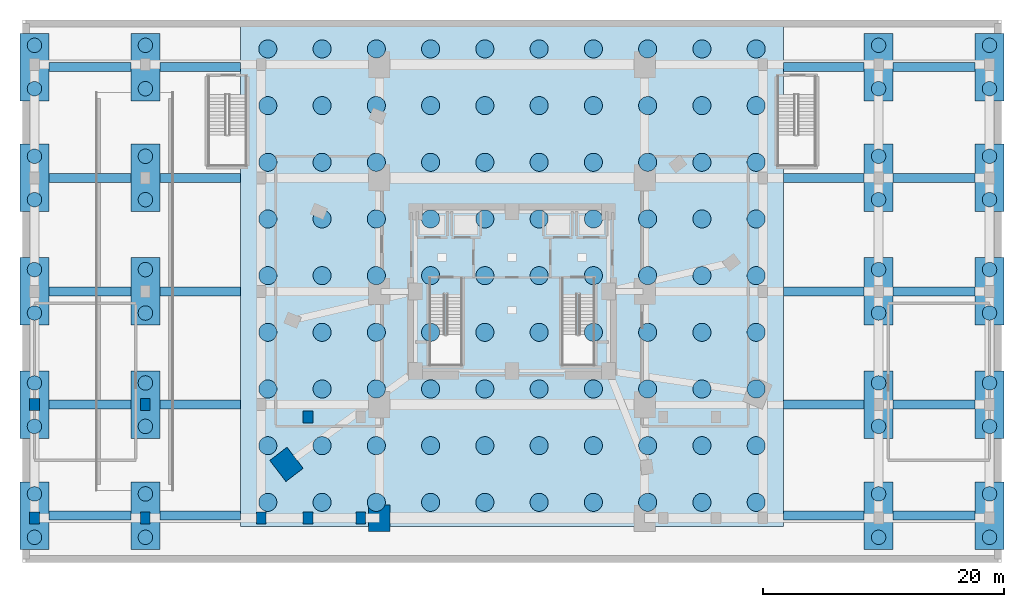
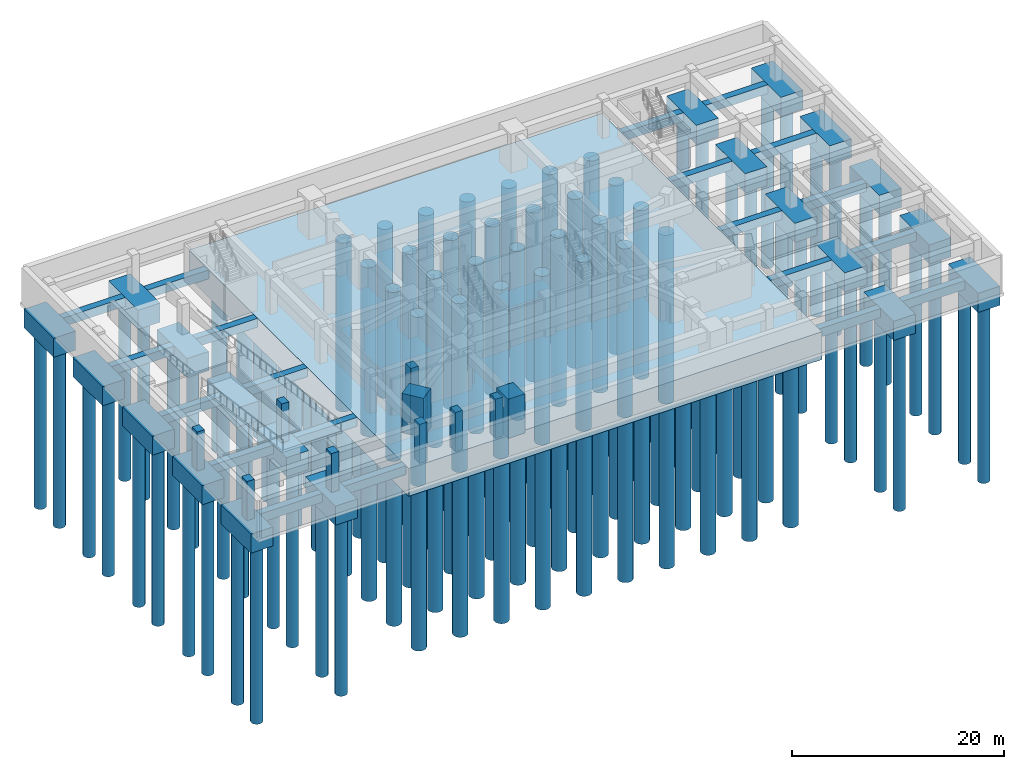
# One storey, part 1 of 10: 130 piles, 41 footings, 10 columns.
"""IFC4 building model written with IfcOpenShell, lengths in metres."""

from ifc_helpers import new_model, si_unit, direction, frame, origin, origin_2d, place, context, subcontext, project, spatial, polyline, rectangle, circle, outline, extrude, material, layer, layer_set, material_profile, profile_set, type_object, element, save


model = new_model("IFC4")

# Units and contexts
model_context = context("Model", 3, precision=1e-05, world=origin(), true_north=direction((0.0, 1.0)))
body_context = subcontext(model_context, "Body", "Model", "MODEL_VIEW")
ifc_project = project(units=[si_unit("LENGTHUNIT", "METRE"), si_unit("AREAUNIT", "SQUARE_METRE"), si_unit("VOLUMEUNIT", "CUBIC_METRE"), si_unit("PLANEANGLEUNIT", "RADIAN"), si_unit("MASSUNIT", "GRAM", prefix="KILO")], contexts=[model_context])

# Site, building, storey
site_placement = place(None, origin())
site = spatial("IfcSite", under=ifc_project, at=site_placement, CompositionType="ELEMENT")
building_placement = place(site_placement, origin())
building = spatial("IfcBuilding", under=site, at=building_placement, Name="Ndelora Gate Hotel", CompositionType="ELEMENT")
storey_placement = place(building_placement, frame((0.0, 0.0, -13.5)))
storey = spatial("IfcBuildingStorey", under=building, at=storey_placement, Name="B03", CompositionType="ELEMENT", Elevation=-13.5)

# Footings
ifc_material_1 = material(Name="Concrete C50/60", Category="concrete")
ifc_layer_1 = layer(ifc_material_1, 2.199951171875)
ifc_layer_set_1 = layer_set([ifc_layer_1], Name="Concrete C50/60")
footing_type_1 = type_object("IfcFootingType", Name="FT-CAP-2200", PredefinedType="PILE_CAP", material=ifc_layer_set_1)
for number, where, z_axis, x_axis, name in (
    (1, (-39.60009765625, -18.60009765625, -2.2001953125), (0.0, 0.0, 1.0), (1.0, 0.0, 0.0), "Podium Two-Pile Cap PC-1 (1-1)"),
    (2, (-39.60009765625, -9.39990234375, -2.2001953125), (0.0, 0.0, 1.0), (1.0, 0.0, 0.0), "Podium Two-Pile Cap PC-1 (1-2)"),
    (3, (-39.60009765625, 0.0, -2.2001953125), (0.0, 0.0, 1.0), (1.0, 0.0, 0.0), "Podium Two-Pile Cap PC-1 (1-3)"),
    (4, (-39.60009765625, 9.39990234375, -2.2001953125), (0.0, 0.0, 1.0), (1.0, 0.0, 0.0), "Podium Two-Pile Cap PC-1 (1-4)"),
    (5, (-39.60009765625, 18.60009765625, -2.2001953125), (0.0, 0.0, 1.0), (1.0, 0.0, 0.0), "Podium Two-Pile Cap PC-1 (1-5)"),
    (6, (-30.39990234375, -18.60009765625, -2.2001953125), (0.0, 0.0, 1.0), (1.0, 0.0, 0.0), "Podium Two-Pile Cap PC-1 (2-1)"),
    (7, (-30.39990234375, -9.39990234375, -2.2001953125), (0.0, 0.0, 1.0), (1.0, 0.0, 0.0), "Podium Two-Pile Cap PC-1 (2-2)"),
    (8, (-30.39990234375, 0.0, -2.2001953125), (0.0, 0.0, 1.0), (1.0, 0.0, 0.0), "Podium Two-Pile Cap PC-1 (2-3)"),
    (9, (-30.39990234375, 9.39990234375, -2.2001953125), (0.0, 0.0, 1.0), (1.0, 0.0, 0.0), "Podium Two-Pile Cap PC-1 (2-4)"),
    (10, (-30.39990234375, 18.60009765625, -2.2001953125), (0.0, 0.0, 1.0), (1.0, 0.0, 0.0), "Podium Two-Pile Cap PC-1 (2-5)"),
    (11, (30.39990234375, -18.60009765625, -2.2001953125), (0.0, 0.0, 1.0), (1.0, 0.0, 0.0), "Podium Two-Pile Cap PC-1 (3-1)"),
    (12, (30.39990234375, -9.39990234375, -2.2001953125), (0.0, 0.0, 1.0), (1.0, 0.0, 0.0), "Podium Two-Pile Cap PC-1 (3-2)"),
    (13, (30.39990234375, 0.0, -2.2001953125), (0.0, 0.0, 1.0), (1.0, 0.0, 0.0), "Podium Two-Pile Cap PC-1 (3-3)"),
    (14, (30.39990234375, 9.39990234375, -2.2001953125), (0.0, 0.0, 1.0), (1.0, 0.0, 0.0), "Podium Two-Pile Cap PC-1 (3-4)"),
    (15, (30.39990234375, 18.60009765625, -2.2001953125), (0.0, 0.0, 1.0), (1.0, 0.0, 0.0), "Podium Two-Pile Cap PC-1 (3-5)"),
    (16, (39.60009765625, -18.60009765625, -2.2001953125), (0.0, 0.0, 1.0), (1.0, 0.0, 0.0), "Podium Two-Pile Cap PC-1 (4-1)"),
    (17, (39.60009765625, -9.39990234375, -2.2001953125), (0.0, 0.0, 1.0), (1.0, 0.0, 0.0), "Podium Two-Pile Cap PC-1 (4-2)"),
    (18, (39.60009765625, 0.0, -2.2001953125), (0.0, 0.0, 1.0), (1.0, 0.0, 0.0), "Podium Two-Pile Cap PC-1 (4-3)"),
    (19, (39.60009765625, 9.39990234375, -2.2001953125), (0.0, 0.0, 1.0), (1.0, 0.0, 0.0), "Podium Two-Pile Cap PC-1 (4-4)"),
    (20, (39.60009765625, 18.60009765625, -2.2001953125), (0.0, 0.0, 1.0), (1.0, 0.0, 0.0), "Podium Two-Pile Cap PC-1 (4-5)"),
):
    element("IfcFooting", number, at=place(storey_placement, frame(where, z_axis=z_axis, x_axis=x_axis)), inside=storey, type_object=footing_type_1, Name=name, PredefinedType="PILE_CAP", context=body_context, shape_type="SweptSolid", body=[
        extrude(rectangle(XDim=2.39990234375, YDim=5.60009765625, at=origin_2d()), origin(), (0.0, 0.0, 1.0), 2.199951171875),
    ])
ifc_material_2 = material(Name="Concrete C40/50", Category="concrete")
ifc_material_profile_1 = material_profile(ifc_material_2, rectangle(XDim=0.75, YDim=1.0, at=origin_2d()), Name="RCB 750x1000")
ifc_profile_set_1 = profile_set([ifc_material_profile_1], Name="Concrete C40/50")
footing_type_2 = type_object("IfcFootingType", Name="FT-GB-700x1100", PredefinedType="FOOTING_BEAM", material=ifc_profile_set_1)
footing_1_placement = place(storey_placement, frame((-38.39990234375, -18.60009765625, -0.5), z_axis=(1.0, 0.0, 0.0), x_axis=(0.0, 1.0, 0.0)))
element("IfcFooting", 21, at=footing_1_placement, inside=storey, type_object=footing_type_2, Name="Ground Tie Beam GB-1 West-Outer 1", PredefinedType="FOOTING_BEAM", context=body_context, shape_type="SweptSolid", body=[
    extrude(rectangle(XDim=0.75, YDim=1.0, at=origin_2d()), origin(), (0.0, 0.0, 1.0), 6.7998046875),
])
for number, where, z_axis, x_axis, name in (
    (22, (-29.199951171875, -18.60009765625, -0.5), (1.0, 0.0, 0.0), (0.0, 1.0, 0.0), "Ground Tie Beam GB-1 West-Inner 1"),
    (23, (22.5, -18.60009765625, -0.5), (1.0, 0.0, 0.0), (0.0, 1.0, 0.0), "Ground Tie Beam GB-1 East-Inner 1"),
):
    element("IfcFooting", number, at=place(storey_placement, frame(where, z_axis=z_axis, x_axis=x_axis)), inside=storey, type_object=footing_type_2, Name=name, PredefinedType="FOOTING_BEAM", context=body_context, shape_type="SweptSolid", body=[
        extrude(rectangle(XDim=0.75, YDim=1.0, at=origin_2d()), origin(), (0.0, 0.0, 1.0), 6.699951171875),
    ])
for number, where, z_axis, x_axis, name in (
    (24, (31.60009765625, -18.60009765625, -0.5), (1.0, 0.0, 0.0), (0.0, 1.0, 0.0), "Ground Tie Beam GB-1 East-Outer 1"),
    (25, (-38.39990234375, -9.39990234375, -0.5), (1.0, 0.0, 0.0), (0.0, 1.0, 0.0), "Ground Tie Beam GB-1 West-Outer 2"),
):
    element("IfcFooting", number, at=place(storey_placement, frame(where, z_axis=z_axis, x_axis=x_axis)), inside=storey, type_object=footing_type_2, Name=name, PredefinedType="FOOTING_BEAM", context=body_context, shape_type="SweptSolid", body=[
        extrude(rectangle(XDim=0.75, YDim=1.0, at=origin_2d()), origin(), (0.0, 0.0, 1.0), 6.7998046875),
    ])
for number, where, z_axis, x_axis, name in (
    (26, (-29.199951171875, -9.39990234375, -0.5), (1.0, 0.0, 0.0), (0.0, 1.0, 0.0), "Ground Tie Beam GB-1 West-Inner 2"),
    (27, (22.5, -9.39990234375, -0.5), (1.0, 0.0, 0.0), (0.0, 1.0, 0.0), "Ground Tie Beam GB-1 East-Inner 2"),
):
    element("IfcFooting", number, at=place(storey_placement, frame(where, z_axis=z_axis, x_axis=x_axis)), inside=storey, type_object=footing_type_2, Name=name, PredefinedType="FOOTING_BEAM", context=body_context, shape_type="SweptSolid", body=[
        extrude(rectangle(XDim=0.75, YDim=1.0, at=origin_2d()), origin(), (0.0, 0.0, 1.0), 6.699951171875),
    ])
for number, where, z_axis, x_axis, name in (
    (28, (31.60009765625, -9.39990234375, -0.5), (1.0, 0.0, 0.0), (0.0, 1.0, 0.0), "Ground Tie Beam GB-1 East-Outer 2"),
    (29, (-38.39990234375, 0.0, -0.5), (1.0, 0.0, 0.0), (0.0, 1.0, 0.0), "Ground Tie Beam GB-1 West-Outer 3"),
):
    element("IfcFooting", number, at=place(storey_placement, frame(where, z_axis=z_axis, x_axis=x_axis)), inside=storey, type_object=footing_type_2, Name=name, PredefinedType="FOOTING_BEAM", context=body_context, shape_type="SweptSolid", body=[
        extrude(rectangle(XDim=0.75, YDim=1.0, at=origin_2d()), origin(), (0.0, 0.0, 1.0), 6.7998046875),
    ])
for number, where, z_axis, x_axis, name in (
    (30, (-29.199951171875, 0.0, -0.5), (1.0, 0.0, 0.0), (0.0, 1.0, 0.0), "Ground Tie Beam GB-1 West-Inner 3"),
    (31, (22.5, 0.0, -0.5), (1.0, 0.0, 0.0), (0.0, 1.0, 0.0), "Ground Tie Beam GB-1 East-Inner 3"),
):
    element("IfcFooting", number, at=place(storey_placement, frame(where, z_axis=z_axis, x_axis=x_axis)), inside=storey, type_object=footing_type_2, Name=name, PredefinedType="FOOTING_BEAM", context=body_context, shape_type="SweptSolid", body=[
        extrude(rectangle(XDim=0.75, YDim=1.0, at=origin_2d()), origin(), (0.0, 0.0, 1.0), 6.699951171875),
    ])
for number, where, z_axis, x_axis, name in (
    (32, (31.60009765625, 0.0, -0.5), (1.0, 0.0, 0.0), (0.0, 1.0, 0.0), "Ground Tie Beam GB-1 East-Outer 3"),
    (33, (-38.39990234375, 9.39990234375, -0.5), (1.0, 0.0, 0.0), (0.0, 1.0, 0.0), "Ground Tie Beam GB-1 West-Outer 4"),
):
    element("IfcFooting", number, at=place(storey_placement, frame(where, z_axis=z_axis, x_axis=x_axis)), inside=storey, type_object=footing_type_2, Name=name, PredefinedType="FOOTING_BEAM", context=body_context, shape_type="SweptSolid", body=[
        extrude(rectangle(XDim=0.75, YDim=1.0, at=origin_2d()), origin(), (0.0, 0.0, 1.0), 6.7998046875),
    ])
for number, where, z_axis, x_axis, name in (
    (34, (-29.199951171875, 9.39990234375, -0.5), (1.0, 0.0, 0.0), (0.0, 1.0, 0.0), "Ground Tie Beam GB-1 West-Inner 4"),
    (35, (22.5, 9.39990234375, -0.5), (1.0, 0.0, 0.0), (0.0, 1.0, 0.0), "Ground Tie Beam GB-1 East-Inner 4"),
):
    element("IfcFooting", number, at=place(storey_placement, frame(where, z_axis=z_axis, x_axis=x_axis)), inside=storey, type_object=footing_type_2, Name=name, PredefinedType="FOOTING_BEAM", context=body_context, shape_type="SweptSolid", body=[
        extrude(rectangle(XDim=0.75, YDim=1.0, at=origin_2d()), origin(), (0.0, 0.0, 1.0), 6.699951171875),
    ])
for number, where, z_axis, x_axis, name in (
    (36, (31.60009765625, 9.39990234375, -0.5), (1.0, 0.0, 0.0), (0.0, 1.0, 0.0), "Ground Tie Beam GB-1 East-Outer 4"),
    (37, (-38.39990234375, 18.60009765625, -0.5), (1.0, 0.0, 0.0), (0.0, 1.0, 0.0), "Ground Tie Beam GB-1 West-Outer 5"),
):
    element("IfcFooting", number, at=place(storey_placement, frame(where, z_axis=z_axis, x_axis=x_axis)), inside=storey, type_object=footing_type_2, Name=name, PredefinedType="FOOTING_BEAM", context=body_context, shape_type="SweptSolid", body=[
        extrude(rectangle(XDim=0.75, YDim=1.0, at=origin_2d()), origin(), (0.0, 0.0, 1.0), 6.7998046875),
    ])
for number, where, z_axis, x_axis, name in (
    (38, (-29.199951171875, 18.60009765625, -0.5), (1.0, 0.0, 0.0), (0.0, 1.0, 0.0), "Ground Tie Beam GB-1 West-Inner 5"),
    (39, (22.5, 18.60009765625, -0.5), (1.0, 0.0, 0.0), (0.0, 1.0, 0.0), "Ground Tie Beam GB-1 East-Inner 5"),
):
    element("IfcFooting", number, at=place(storey_placement, frame(where, z_axis=z_axis, x_axis=x_axis)), inside=storey, type_object=footing_type_2, Name=name, PredefinedType="FOOTING_BEAM", context=body_context, shape_type="SweptSolid", body=[
        extrude(rectangle(XDim=0.75, YDim=1.0, at=origin_2d()), origin(), (0.0, 0.0, 1.0), 6.699951171875),
    ])
footing_2_placement = place(storey_placement, frame((31.60009765625, 18.60009765625, -0.5), z_axis=(1.0, 0.0, 0.0), x_axis=(0.0, 1.0, 0.0)))
element("IfcFooting", 40, at=footing_2_placement, inside=storey, type_object=footing_type_2, Name="Ground Tie Beam GB-1 East-Outer 5", PredefinedType="FOOTING_BEAM", context=body_context, shape_type="SweptSolid", body=[
    extrude(rectangle(XDim=0.75, YDim=1.0, at=origin_2d()), origin(), (0.0, 0.0, 1.0), 6.7998046875),
])
ifc_layer_2 = layer(ifc_material_1, 3.199951171875)
ifc_layer_set_2 = layer_set([ifc_layer_2], Name="Concrete C50/60")
footing_type_3 = type_object("IfcFootingType", Name="FT-RAFT-3200", PredefinedType="CAISSON_FOUNDATION", material=ifc_layer_set_2)
footing_3_placement = place(storey_placement, frame((0.0, 0.0, -3.199951171875)))
element("IfcFooting", 41, at=footing_3_placement, inside=storey, type_object=footing_type_3, Name="Tower Piled Raft Foundation RF-1", PredefinedType="CAISSON_FOUNDATION", context=body_context, shape_type="SweptSolid", body=[
    extrude(outline(polyline([(-22.5, -19.5), (22.5, -19.5), (22.5, 22.0), (-22.5, 22.0), (-22.5, -19.5)])), origin(), (0.0, 0.0, 1.0), 3.199951171875),
])

# Piles
ifc_material_profile_2 = material_profile(ifc_material_2, circle(Radius=0.60009765625, at=origin_2d()), Name="PILE D1200")
ifc_profile_set_2 = profile_set([ifc_material_profile_2], Name="Concrete C40/50")
pile_type_1 = type_object("IfcPileType", Name="PL-BORED-1200", PredefinedType="BORED", material=ifc_profile_set_2)
for number, where, z_axis, x_axis, name in (
    (42, (-39.60009765625, -20.39990234375, -2.050048828125), (0.0, 0.0, -1.0), (1.0, 0.0, 0.0), "Podium Cap Bored Pile PL-2 (1-1-1)"),
    (43, (-39.60009765625, -16.800048828125, -2.050048828125), (0.0, 0.0, -1.0), (1.0, 0.0, 0.0), "Podium Cap Bored Pile PL-2 (1-1-2)"),
    (44, (-39.60009765625, -11.199951171875, -2.050048828125), (0.0, 0.0, -1.0), (1.0, 0.0, 0.0), "Podium Cap Bored Pile PL-2 (1-2-1)"),
    (45, (-39.60009765625, -7.60009765625, -2.050048828125), (0.0, 0.0, -1.0), (1.0, 0.0, 0.0), "Podium Cap Bored Pile PL-2 (1-2-2)"),
    (46, (-39.60009765625, -1.800048828125, -2.050048828125), (0.0, 0.0, -1.0), (1.0, 0.0, 0.0), "Podium Cap Bored Pile PL-2 (1-3-1)"),
    (47, (-39.60009765625, 1.800048828125, -2.050048828125), (0.0, 0.0, -1.0), (1.0, 0.0, 0.0), "Podium Cap Bored Pile PL-2 (1-3-2)"),
    (48, (-39.60009765625, 7.60009765625, -2.050048828125), (0.0, 0.0, -1.0), (1.0, 0.0, 0.0), "Podium Cap Bored Pile PL-2 (1-4-1)"),
    (49, (-39.60009765625, 11.199951171875, -2.050048828125), (0.0, 0.0, -1.0), (1.0, 0.0, 0.0), "Podium Cap Bored Pile PL-2 (1-4-2)"),
    (50, (-39.60009765625, 16.800048828125, -2.050048828125), (0.0, 0.0, -1.0), (1.0, 0.0, 0.0), "Podium Cap Bored Pile PL-2 (1-5-1)"),
    (51, (-39.60009765625, 20.39990234375, -2.050048828125), (0.0, 0.0, -1.0), (1.0, 0.0, 0.0), "Podium Cap Bored Pile PL-2 (1-5-2)"),
    (52, (-30.39990234375, -20.39990234375, -2.050048828125), (0.0, 0.0, -1.0), (1.0, 0.0, 0.0), "Podium Cap Bored Pile PL-2 (2-1-1)"),
    (53, (-30.39990234375, -16.800048828125, -2.050048828125), (0.0, 0.0, -1.0), (1.0, 0.0, 0.0), "Podium Cap Bored Pile PL-2 (2-1-2)"),
    (54, (-30.39990234375, -11.199951171875, -2.050048828125), (0.0, 0.0, -1.0), (1.0, 0.0, 0.0), "Podium Cap Bored Pile PL-2 (2-2-1)"),
    (55, (-30.39990234375, -7.60009765625, -2.050048828125), (0.0, 0.0, -1.0), (1.0, 0.0, 0.0), "Podium Cap Bored Pile PL-2 (2-2-2)"),
    (56, (-30.39990234375, -1.800048828125, -2.050048828125), (0.0, 0.0, -1.0), (1.0, 0.0, 0.0), "Podium Cap Bored Pile PL-2 (2-3-1)"),
    (57, (-30.39990234375, 1.800048828125, -2.050048828125), (0.0, 0.0, -1.0), (1.0, 0.0, 0.0), "Podium Cap Bored Pile PL-2 (2-3-2)"),
    (58, (-30.39990234375, 7.60009765625, -2.050048828125), (0.0, 0.0, -1.0), (1.0, 0.0, 0.0), "Podium Cap Bored Pile PL-2 (2-4-1)"),
    (59, (-30.39990234375, 11.199951171875, -2.050048828125), (0.0, 0.0, -1.0), (1.0, 0.0, 0.0), "Podium Cap Bored Pile PL-2 (2-4-2)"),
    (60, (-30.39990234375, 16.800048828125, -2.050048828125), (0.0, 0.0, -1.0), (1.0, 0.0, 0.0), "Podium Cap Bored Pile PL-2 (2-5-1)"),
    (61, (-30.39990234375, 20.39990234375, -2.050048828125), (0.0, 0.0, -1.0), (1.0, 0.0, 0.0), "Podium Cap Bored Pile PL-2 (2-5-2)"),
    (62, (30.39990234375, -20.39990234375, -2.050048828125), (0.0, 0.0, -1.0), (1.0, 0.0, 0.0), "Podium Cap Bored Pile PL-2 (3-1-1)"),
    (63, (30.39990234375, -16.800048828125, -2.050048828125), (0.0, 0.0, -1.0), (1.0, 0.0, 0.0), "Podium Cap Bored Pile PL-2 (3-1-2)"),
    (64, (30.39990234375, -11.199951171875, -2.050048828125), (0.0, 0.0, -1.0), (1.0, 0.0, 0.0), "Podium Cap Bored Pile PL-2 (3-2-1)"),
    (65, (30.39990234375, -7.60009765625, -2.050048828125), (0.0, 0.0, -1.0), (1.0, 0.0, 0.0), "Podium Cap Bored Pile PL-2 (3-2-2)"),
    (66, (30.39990234375, -1.800048828125, -2.050048828125), (0.0, 0.0, -1.0), (1.0, 0.0, 0.0), "Podium Cap Bored Pile PL-2 (3-3-1)"),
    (67, (30.39990234375, 1.800048828125, -2.050048828125), (0.0, 0.0, -1.0), (1.0, 0.0, 0.0), "Podium Cap Bored Pile PL-2 (3-3-2)"),
    (68, (30.39990234375, 7.60009765625, -2.050048828125), (0.0, 0.0, -1.0), (1.0, 0.0, 0.0), "Podium Cap Bored Pile PL-2 (3-4-1)"),
    (69, (30.39990234375, 11.199951171875, -2.050048828125), (0.0, 0.0, -1.0), (1.0, 0.0, 0.0), "Podium Cap Bored Pile PL-2 (3-4-2)"),
    (70, (30.39990234375, 16.800048828125, -2.050048828125), (0.0, 0.0, -1.0), (1.0, 0.0, 0.0), "Podium Cap Bored Pile PL-2 (3-5-1)"),
    (71, (30.39990234375, 20.39990234375, -2.050048828125), (0.0, 0.0, -1.0), (1.0, 0.0, 0.0), "Podium Cap Bored Pile PL-2 (3-5-2)"),
    (72, (39.60009765625, -20.39990234375, -2.050048828125), (0.0, 0.0, -1.0), (1.0, 0.0, 0.0), "Podium Cap Bored Pile PL-2 (4-1-1)"),
    (73, (39.60009765625, -16.800048828125, -2.050048828125), (0.0, 0.0, -1.0), (1.0, 0.0, 0.0), "Podium Cap Bored Pile PL-2 (4-1-2)"),
    (74, (39.60009765625, -11.199951171875, -2.050048828125), (0.0, 0.0, -1.0), (1.0, 0.0, 0.0), "Podium Cap Bored Pile PL-2 (4-2-1)"),
    (75, (39.60009765625, -7.60009765625, -2.050048828125), (0.0, 0.0, -1.0), (1.0, 0.0, 0.0), "Podium Cap Bored Pile PL-2 (4-2-2)"),
    (76, (39.60009765625, -1.800048828125, -2.050048828125), (0.0, 0.0, -1.0), (1.0, 0.0, 0.0), "Podium Cap Bored Pile PL-2 (4-3-1)"),
    (77, (39.60009765625, 1.800048828125, -2.050048828125), (0.0, 0.0, -1.0), (1.0, 0.0, 0.0), "Podium Cap Bored Pile PL-2 (4-3-2)"),
    (78, (39.60009765625, 7.60009765625, -2.050048828125), (0.0, 0.0, -1.0), (1.0, 0.0, 0.0), "Podium Cap Bored Pile PL-2 (4-4-1)"),
    (79, (39.60009765625, 11.199951171875, -2.050048828125), (0.0, 0.0, -1.0), (1.0, 0.0, 0.0), "Podium Cap Bored Pile PL-2 (4-4-2)"),
    (80, (39.60009765625, 16.800048828125, -2.050048828125), (0.0, 0.0, -1.0), (1.0, 0.0, 0.0), "Podium Cap Bored Pile PL-2 (4-5-1)"),
    (81, (39.60009765625, 20.39990234375, -2.050048828125), (0.0, 0.0, -1.0), (1.0, 0.0, 0.0), "Podium Cap Bored Pile PL-2 (4-5-2)"),
):
    element("IfcPile", number, at=place(storey_placement, frame(where, z_axis=z_axis, x_axis=x_axis)), inside=storey, type_object=pile_type_1, Name=name, PredefinedType="BORED", context=body_context, shape_type="SweptSolid", body=[
        extrude(circle(Radius=0.60009765625, at=origin_2d()), origin(), (0.0, 0.0, 1.0), 20.449951171875),
    ])
ifc_material_profile_3 = material_profile(ifc_material_2, circle(Radius=0.75, at=origin_2d()), Name="PILE D1500")
ifc_profile_set_3 = profile_set([ifc_material_profile_3], Name="Concrete C40/50")
pile_type_2 = type_object("IfcPileType", Name="PL-BORED-1500", PredefinedType="BORED", material=ifc_profile_set_3)
for number, where, z_axis, x_axis, name in (
    (82, (-20.25, -17.5, -3.050048828125), (0.0, 0.0, -1.0), (1.0, 0.0, 0.0), "Tower Raft Bored Pile PL-1 (1-1)"),
    (83, (-20.25, -12.800048828125, -3.050048828125), (0.0, 0.0, -1.0), (1.0, 0.0, 0.0), "Tower Raft Bored Pile PL-1 (1-2)"),
    (84, (-20.25, -8.10009765625, -3.050048828125), (0.0, 0.0, -1.0), (1.0, 0.0, 0.0), "Tower Raft Bored Pile PL-1 (1-3)"),
    (85, (-20.25, -3.39990234375, -3.050048828125), (0.0, 0.0, -1.0), (1.0, 0.0, 0.0), "Tower Raft Bored Pile PL-1 (1-4)"),
    (86, (-20.25, 1.300048828125, -3.050048828125), (0.0, 0.0, -1.0), (1.0, 0.0, 0.0), "Tower Raft Bored Pile PL-1 (1-5)"),
    (87, (-20.25, 6.0, -3.050048828125), (0.0, 0.0, -1.0), (1.0, 0.0, 0.0), "Tower Raft Bored Pile PL-1 (1-6)"),
    (88, (-20.25, 10.699951171875, -3.050048828125), (0.0, 0.0, -1.0), (1.0, 0.0, 0.0), "Tower Raft Bored Pile PL-1 (1-7)"),
    (89, (-20.25, 15.39990234375, -3.050048828125), (0.0, 0.0, -1.0), (1.0, 0.0, 0.0), "Tower Raft Bored Pile PL-1 (1-8)"),
    (90, (-20.25, 20.10009765625, -3.050048828125), (0.0, 0.0, -1.0), (1.0, 0.0, 0.0), "Tower Raft Bored Pile PL-1 (1-9)"),
    (91, (-15.75, -17.5, -3.050048828125), (0.0, 0.0, -1.0), (1.0, 0.0, 0.0), "Tower Raft Bored Pile PL-1 (2-1)"),
    (92, (-15.75, -12.800048828125, -3.050048828125), (0.0, 0.0, -1.0), (1.0, 0.0, 0.0), "Tower Raft Bored Pile PL-1 (2-2)"),
    (93, (-15.75, -8.10009765625, -3.050048828125), (0.0, 0.0, -1.0), (1.0, 0.0, 0.0), "Tower Raft Bored Pile PL-1 (2-3)"),
    (94, (-15.75, -3.39990234375, -3.050048828125), (0.0, 0.0, -1.0), (1.0, 0.0, 0.0), "Tower Raft Bored Pile PL-1 (2-4)"),
    (95, (-15.75, 1.300048828125, -3.050048828125), (0.0, 0.0, -1.0), (1.0, 0.0, 0.0), "Tower Raft Bored Pile PL-1 (2-5)"),
    (96, (-15.75, 6.0, -3.050048828125), (0.0, 0.0, -1.0), (1.0, 0.0, 0.0), "Tower Raft Bored Pile PL-1 (2-6)"),
    (97, (-15.75, 10.699951171875, -3.050048828125), (0.0, 0.0, -1.0), (1.0, 0.0, 0.0), "Tower Raft Bored Pile PL-1 (2-7)"),
    (98, (-15.75, 15.39990234375, -3.050048828125), (0.0, 0.0, -1.0), (1.0, 0.0, 0.0), "Tower Raft Bored Pile PL-1 (2-8)"),
    (99, (-15.75, 20.10009765625, -3.050048828125), (0.0, 0.0, -1.0), (1.0, 0.0, 0.0), "Tower Raft Bored Pile PL-1 (2-9)"),
    (100, (-11.25, -17.5, -3.050048828125), (0.0, 0.0, -1.0), (1.0, 0.0, 0.0), "Tower Raft Bored Pile PL-1 (3-1)"),
    (101, (-11.25, -12.800048828125, -3.050048828125), (0.0, 0.0, -1.0), (1.0, 0.0, 0.0), "Tower Raft Bored Pile PL-1 (3-2)"),
    (102, (-11.25, -8.10009765625, -3.050048828125), (0.0, 0.0, -1.0), (1.0, 0.0, 0.0), "Tower Raft Bored Pile PL-1 (3-3)"),
    (103, (-11.25, -3.39990234375, -3.050048828125), (0.0, 0.0, -1.0), (1.0, 0.0, 0.0), "Tower Raft Bored Pile PL-1 (3-4)"),
    (104, (-11.25, 1.300048828125, -3.050048828125), (0.0, 0.0, -1.0), (1.0, 0.0, 0.0), "Tower Raft Bored Pile PL-1 (3-5)"),
    (105, (-11.25, 6.0, -3.050048828125), (0.0, 0.0, -1.0), (1.0, 0.0, 0.0), "Tower Raft Bored Pile PL-1 (3-6)"),
    (106, (-11.25, 10.699951171875, -3.050048828125), (0.0, 0.0, -1.0), (1.0, 0.0, 0.0), "Tower Raft Bored Pile PL-1 (3-7)"),
    (107, (-11.25, 15.39990234375, -3.050048828125), (0.0, 0.0, -1.0), (1.0, 0.0, 0.0), "Tower Raft Bored Pile PL-1 (3-8)"),
    (108, (-11.25, 20.10009765625, -3.050048828125), (0.0, 0.0, -1.0), (1.0, 0.0, 0.0), "Tower Raft Bored Pile PL-1 (3-9)"),
    (109, (-6.75, -17.5, -3.050048828125), (0.0, 0.0, -1.0), (1.0, 0.0, 0.0), "Tower Raft Bored Pile PL-1 (4-1)"),
    (110, (-6.75, -12.800048828125, -3.050048828125), (0.0, 0.0, -1.0), (1.0, 0.0, 0.0), "Tower Raft Bored Pile PL-1 (4-2)"),
    (111, (-6.75, -8.10009765625, -3.050048828125), (0.0, 0.0, -1.0), (1.0, 0.0, 0.0), "Tower Raft Bored Pile PL-1 (4-3)"),
    (112, (-6.75, -3.39990234375, -3.050048828125), (0.0, 0.0, -1.0), (1.0, 0.0, 0.0), "Tower Raft Bored Pile PL-1 (4-4)"),
    (113, (-6.75, 1.300048828125, -3.050048828125), (0.0, 0.0, -1.0), (1.0, 0.0, 0.0), "Tower Raft Bored Pile PL-1 (4-5)"),
    (114, (-6.75, 6.0, -3.050048828125), (0.0, 0.0, -1.0), (1.0, 0.0, 0.0), "Tower Raft Bored Pile PL-1 (4-6)"),
    (115, (-6.75, 10.699951171875, -3.050048828125), (0.0, 0.0, -1.0), (1.0, 0.0, 0.0), "Tower Raft Bored Pile PL-1 (4-7)"),
    (116, (-6.75, 15.39990234375, -3.050048828125), (0.0, 0.0, -1.0), (1.0, 0.0, 0.0), "Tower Raft Bored Pile PL-1 (4-8)"),
    (117, (-6.75, 20.10009765625, -3.050048828125), (0.0, 0.0, -1.0), (1.0, 0.0, 0.0), "Tower Raft Bored Pile PL-1 (4-9)"),
    (118, (-2.25, -17.5, -3.050048828125), (0.0, 0.0, -1.0), (1.0, 0.0, 0.0), "Tower Raft Bored Pile PL-1 (5-1)"),
    (119, (-2.25, -12.800048828125, -3.050048828125), (0.0, 0.0, -1.0), (1.0, 0.0, 0.0), "Tower Raft Bored Pile PL-1 (5-2)"),
    (120, (-2.25, -8.10009765625, -3.050048828125), (0.0, 0.0, -1.0), (1.0, 0.0, 0.0), "Tower Raft Bored Pile PL-1 (5-3)"),
    (121, (-2.25, -3.39990234375, -3.050048828125), (0.0, 0.0, -1.0), (1.0, 0.0, 0.0), "Tower Raft Bored Pile PL-1 (5-4)"),
    (122, (-2.25, 1.300048828125, -3.050048828125), (0.0, 0.0, -1.0), (1.0, 0.0, 0.0), "Tower Raft Bored Pile PL-1 (5-5)"),
    (123, (-2.25, 6.0, -3.050048828125), (0.0, 0.0, -1.0), (1.0, 0.0, 0.0), "Tower Raft Bored Pile PL-1 (5-6)"),
    (124, (-2.25, 10.699951171875, -3.050048828125), (0.0, 0.0, -1.0), (1.0, 0.0, 0.0), "Tower Raft Bored Pile PL-1 (5-7)"),
    (125, (-2.25, 15.39990234375, -3.050048828125), (0.0, 0.0, -1.0), (1.0, 0.0, 0.0), "Tower Raft Bored Pile PL-1 (5-8)"),
    (126, (-2.25, 20.10009765625, -3.050048828125), (0.0, 0.0, -1.0), (1.0, 0.0, 0.0), "Tower Raft Bored Pile PL-1 (5-9)"),
    (127, (2.25, -17.5, -3.050048828125), (0.0, 0.0, -1.0), (1.0, 0.0, 0.0), "Tower Raft Bored Pile PL-1 (6-1)"),
    (128, (2.25, -12.800048828125, -3.050048828125), (0.0, 0.0, -1.0), (1.0, 0.0, 0.0), "Tower Raft Bored Pile PL-1 (6-2)"),
    (129, (2.25, -8.10009765625, -3.050048828125), (0.0, 0.0, -1.0), (1.0, 0.0, 0.0), "Tower Raft Bored Pile PL-1 (6-3)"),
    (130, (2.25, -3.39990234375, -3.050048828125), (0.0, 0.0, -1.0), (1.0, 0.0, 0.0), "Tower Raft Bored Pile PL-1 (6-4)"),
    (131, (2.25, 1.300048828125, -3.050048828125), (0.0, 0.0, -1.0), (1.0, 0.0, 0.0), "Tower Raft Bored Pile PL-1 (6-5)"),
    (132, (2.25, 6.0, -3.050048828125), (0.0, 0.0, -1.0), (1.0, 0.0, 0.0), "Tower Raft Bored Pile PL-1 (6-6)"),
    (133, (2.25, 10.699951171875, -3.050048828125), (0.0, 0.0, -1.0), (1.0, 0.0, 0.0), "Tower Raft Bored Pile PL-1 (6-7)"),
    (134, (2.25, 15.39990234375, -3.050048828125), (0.0, 0.0, -1.0), (1.0, 0.0, 0.0), "Tower Raft Bored Pile PL-1 (6-8)"),
    (135, (2.25, 20.10009765625, -3.050048828125), (0.0, 0.0, -1.0), (1.0, 0.0, 0.0), "Tower Raft Bored Pile PL-1 (6-9)"),
    (136, (6.75, -17.5, -3.050048828125), (0.0, 0.0, -1.0), (1.0, 0.0, 0.0), "Tower Raft Bored Pile PL-1 (7-1)"),
    (137, (6.75, -12.800048828125, -3.050048828125), (0.0, 0.0, -1.0), (1.0, 0.0, 0.0), "Tower Raft Bored Pile PL-1 (7-2)"),
    (138, (6.75, -8.10009765625, -3.050048828125), (0.0, 0.0, -1.0), (1.0, 0.0, 0.0), "Tower Raft Bored Pile PL-1 (7-3)"),
    (139, (6.75, -3.39990234375, -3.050048828125), (0.0, 0.0, -1.0), (1.0, 0.0, 0.0), "Tower Raft Bored Pile PL-1 (7-4)"),
    (140, (6.75, 1.300048828125, -3.050048828125), (0.0, 0.0, -1.0), (1.0, 0.0, 0.0), "Tower Raft Bored Pile PL-1 (7-5)"),
    (141, (6.75, 6.0, -3.050048828125), (0.0, 0.0, -1.0), (1.0, 0.0, 0.0), "Tower Raft Bored Pile PL-1 (7-6)"),
    (142, (6.75, 10.699951171875, -3.050048828125), (0.0, 0.0, -1.0), (1.0, 0.0, 0.0), "Tower Raft Bored Pile PL-1 (7-7)"),
    (143, (6.75, 15.39990234375, -3.050048828125), (0.0, 0.0, -1.0), (1.0, 0.0, 0.0), "Tower Raft Bored Pile PL-1 (7-8)"),
    (144, (6.75, 20.10009765625, -3.050048828125), (0.0, 0.0, -1.0), (1.0, 0.0, 0.0), "Tower Raft Bored Pile PL-1 (7-9)"),
    (145, (11.25, -17.5, -3.050048828125), (0.0, 0.0, -1.0), (1.0, 0.0, 0.0), "Tower Raft Bored Pile PL-1 (8-1)"),
    (146, (11.25, -12.800048828125, -3.050048828125), (0.0, 0.0, -1.0), (1.0, 0.0, 0.0), "Tower Raft Bored Pile PL-1 (8-2)"),
    (147, (11.25, -8.10009765625, -3.050048828125), (0.0, 0.0, -1.0), (1.0, 0.0, 0.0), "Tower Raft Bored Pile PL-1 (8-3)"),
    (148, (11.25, -3.39990234375, -3.050048828125), (0.0, 0.0, -1.0), (1.0, 0.0, 0.0), "Tower Raft Bored Pile PL-1 (8-4)"),
    (149, (11.25, 1.300048828125, -3.050048828125), (0.0, 0.0, -1.0), (1.0, 0.0, 0.0), "Tower Raft Bored Pile PL-1 (8-5)"),
    (150, (11.25, 6.0, -3.050048828125), (0.0, 0.0, -1.0), (1.0, 0.0, 0.0), "Tower Raft Bored Pile PL-1 (8-6)"),
    (151, (11.25, 10.699951171875, -3.050048828125), (0.0, 0.0, -1.0), (1.0, 0.0, 0.0), "Tower Raft Bored Pile PL-1 (8-7)"),
    (152, (11.25, 15.39990234375, -3.050048828125), (0.0, 0.0, -1.0), (1.0, 0.0, 0.0), "Tower Raft Bored Pile PL-1 (8-8)"),
    (153, (11.25, 20.10009765625, -3.050048828125), (0.0, 0.0, -1.0), (1.0, 0.0, 0.0), "Tower Raft Bored Pile PL-1 (8-9)"),
    (154, (15.75, -17.5, -3.050048828125), (0.0, 0.0, -1.0), (1.0, 0.0, 0.0), "Tower Raft Bored Pile PL-1 (9-1)"),
    (155, (15.75, -12.800048828125, -3.050048828125), (0.0, 0.0, -1.0), (1.0, 0.0, 0.0), "Tower Raft Bored Pile PL-1 (9-2)"),
    (156, (15.75, -8.10009765625, -3.050048828125), (0.0, 0.0, -1.0), (1.0, 0.0, 0.0), "Tower Raft Bored Pile PL-1 (9-3)"),
    (157, (15.75, -3.39990234375, -3.050048828125), (0.0, 0.0, -1.0), (1.0, 0.0, 0.0), "Tower Raft Bored Pile PL-1 (9-4)"),
    (158, (15.75, 1.300048828125, -3.050048828125), (0.0, 0.0, -1.0), (1.0, 0.0, 0.0), "Tower Raft Bored Pile PL-1 (9-5)"),
    (159, (15.75, 6.0, -3.050048828125), (0.0, 0.0, -1.0), (1.0, 0.0, 0.0), "Tower Raft Bored Pile PL-1 (9-6)"),
    (160, (15.75, 10.699951171875, -3.050048828125), (0.0, 0.0, -1.0), (1.0, 0.0, 0.0), "Tower Raft Bored Pile PL-1 (9-7)"),
    (161, (15.75, 15.39990234375, -3.050048828125), (0.0, 0.0, -1.0), (1.0, 0.0, 0.0), "Tower Raft Bored Pile PL-1 (9-8)"),
    (162, (15.75, 20.10009765625, -3.050048828125), (0.0, 0.0, -1.0), (1.0, 0.0, 0.0), "Tower Raft Bored Pile PL-1 (9-9)"),
    (163, (20.25, -17.5, -3.050048828125), (0.0, 0.0, -1.0), (1.0, 0.0, 0.0), "Tower Raft Bored Pile PL-1 (10-1)"),
    (164, (20.25, -12.800048828125, -3.050048828125), (0.0, 0.0, -1.0), (1.0, 0.0, 0.0), "Tower Raft Bored Pile PL-1 (10-2)"),
    (165, (20.25, -8.10009765625, -3.050048828125), (0.0, 0.0, -1.0), (1.0, 0.0, 0.0), "Tower Raft Bored Pile PL-1 (10-3)"),
    (166, (20.25, -3.39990234375, -3.050048828125), (0.0, 0.0, -1.0), (1.0, 0.0, 0.0), "Tower Raft Bored Pile PL-1 (10-4)"),
    (167, (20.25, 1.300048828125, -3.050048828125), (0.0, 0.0, -1.0), (1.0, 0.0, 0.0), "Tower Raft Bored Pile PL-1 (10-5)"),
    (168, (20.25, 6.0, -3.050048828125), (0.0, 0.0, -1.0), (1.0, 0.0, 0.0), "Tower Raft Bored Pile PL-1 (10-6)"),
    (169, (20.25, 10.699951171875, -3.050048828125), (0.0, 0.0, -1.0), (1.0, 0.0, 0.0), "Tower Raft Bored Pile PL-1 (10-7)"),
    (170, (20.25, 15.39990234375, -3.050048828125), (0.0, 0.0, -1.0), (1.0, 0.0, 0.0), "Tower Raft Bored Pile PL-1 (10-8)"),
    (171, (20.25, 20.10009765625, -3.050048828125), (0.0, 0.0, -1.0), (1.0, 0.0, 0.0), "Tower Raft Bored Pile PL-1 (10-9)"),
):
    element("IfcPile", number, at=place(storey_placement, frame(where, z_axis=z_axis, x_axis=x_axis)), inside=storey, type_object=pile_type_2, Name=name, PredefinedType="BORED", context=body_context, shape_type="SweptSolid", body=[
        extrude(circle(Radius=0.75, at=origin_2d()), origin(), (0.0, 0.0, 1.0), 19.449951171875),
    ])

# Columns
ifc_material_3 = material(Name="Concrete C60/75", Category="concrete")
ifc_material_profile_4 = material_profile(ifc_material_3, rectangle(XDim=1.800048828125, YDim=2.199951171875, at=origin_2d()), Name="RC 2200x1800")
ifc_profile_set_4 = profile_set([ifc_material_profile_4], Name="Concrete C60/75")
column_type_1 = type_object("IfcColumnType", Name="COL-ARCH-PIER", PredefinedType="COLUMN", material=ifc_profile_set_4)
column_1_placement = place(storey_placement, frame((-11.0, -18.800048828125, 0.0), z_axis=(0.0, 0.0, 1.0), x_axis=(1.0, 0.0, 0.0)))
element("IfcColumn", 172, at=column_1_placement, inside=storey, type_object=column_type_1, Name="B03 Podium Column PC-04-01", PredefinedType="COLUMN", context=body_context, shape_type="SweptSolid", body=[
    extrude(rectangle(XDim=1.800048828125, YDim=2.199951171875, at=origin_2d()), origin(), (0.0, 0.0, 1.0), 4.5),
])
ifc_material_profile_5 = material_profile(ifc_material_3, rectangle(XDim=1.800048828125, YDim=2.199951171875, at=origin_2d()), Name="RC 2200x1800")
ifc_profile_set_5 = profile_set([ifc_material_profile_5], Name="Concrete C60/75")
column_type_2 = type_object("IfcColumnType", Name="COL-MC-Z1", PredefinedType="COLUMN", material=ifc_profile_set_5)
column_2_placement = place(storey_placement, frame((-18.701904296875, -14.3505859375, 0.0), z_axis=(0.0, 0.0, 1.0), x_axis=(0.793353340291, 0.608761429009, 0.0)))
element("IfcColumn", 173, at=column_2_placement, inside=storey, type_object=column_type_2, Name="B03 Tower Plumb Root Column R5", PredefinedType="COLUMN", context=body_context, shape_type="SweptSolid", body=[
    extrude(rectangle(XDim=1.800048828125, YDim=2.199951171875, at=origin_2d()), origin(), (0.0, 0.0, 1.0), 4.5),
])
ifc_material_profile_6 = material_profile(ifc_material_1, rectangle(XDim=0.800048828125, YDim=1.0, at=origin_2d()), Name="RC 1000x800")
ifc_profile_set_6 = profile_set([ifc_material_profile_6], Name="Concrete C50/60")
column_type_3 = type_object("IfcColumnType", Name="COL-POD-BSM", PredefinedType="COLUMN", material=ifc_profile_set_6)
for number, where, z_axis, x_axis, name in (
    (174, (-39.60009765625, -18.800048828125, 0.0), (0.0, 0.0, 1.0), (1.0, 0.0, 0.0), "B03 Podium Column PC-01-01"),
    (175, (-39.60009765625, -9.39990234375, 0.0), (0.0, 0.0, 1.0), (1.0, 0.0, 0.0), "B03 Podium Column PC-01-02"),
    (176, (-30.39990234375, -18.800048828125, 0.0), (0.0, 0.0, 1.0), (1.0, 0.0, 0.0), "B03 Podium Column PC-02-01"),
    (177, (-30.39990234375, -9.39990234375, 0.0), (0.0, 0.0, 1.0), (1.0, 0.0, 0.0), "B03 Podium Column PC-02-02"),
    (178, (-20.800048828125, -18.800048828125, 0.0), (0.0, 0.0, 1.0), (1.0, 0.0, 0.0), "B03 Podium Column PC-03-01"),
    (179, (-16.919921875, -18.800048828125, 0.0), (0.0, 0.0, 1.0), (1.0, 0.0, 0.0), "B03 Stair ST3A Plumb Support Column 1"),
    (180, (-12.5400390625, -18.800048828125, 0.0), (0.0, 0.0, 1.0), (1.0, 0.0, 0.0), "B03 Stair ST3A Plumb Support Column 2"),
    (181, (-16.919921875, -10.429931640625, 0.0), (0.0, 0.0, 1.0), (1.0, 0.0, 0.0), "B03 Stair ST3A Plumb Support Column 3"),
):
    element("IfcColumn", number, at=place(storey_placement, frame(where, z_axis=z_axis, x_axis=x_axis)), inside=storey, type_object=column_type_3, Name=name, PredefinedType="COLUMN", context=body_context, shape_type="SweptSolid", body=[
        extrude(rectangle(XDim=0.800048828125, YDim=1.0, at=origin_2d()), origin(), (0.0, 0.0, 1.0), 4.5),
    ])

save(model, "model.ifc")
